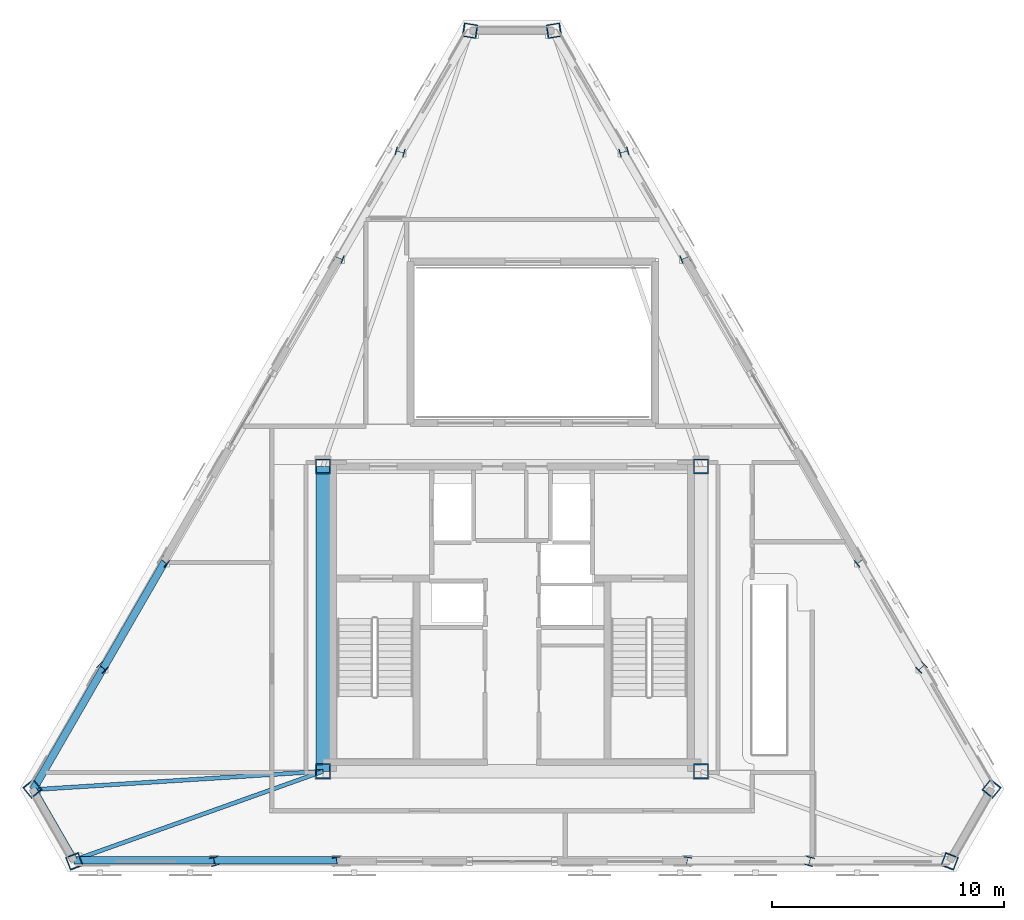
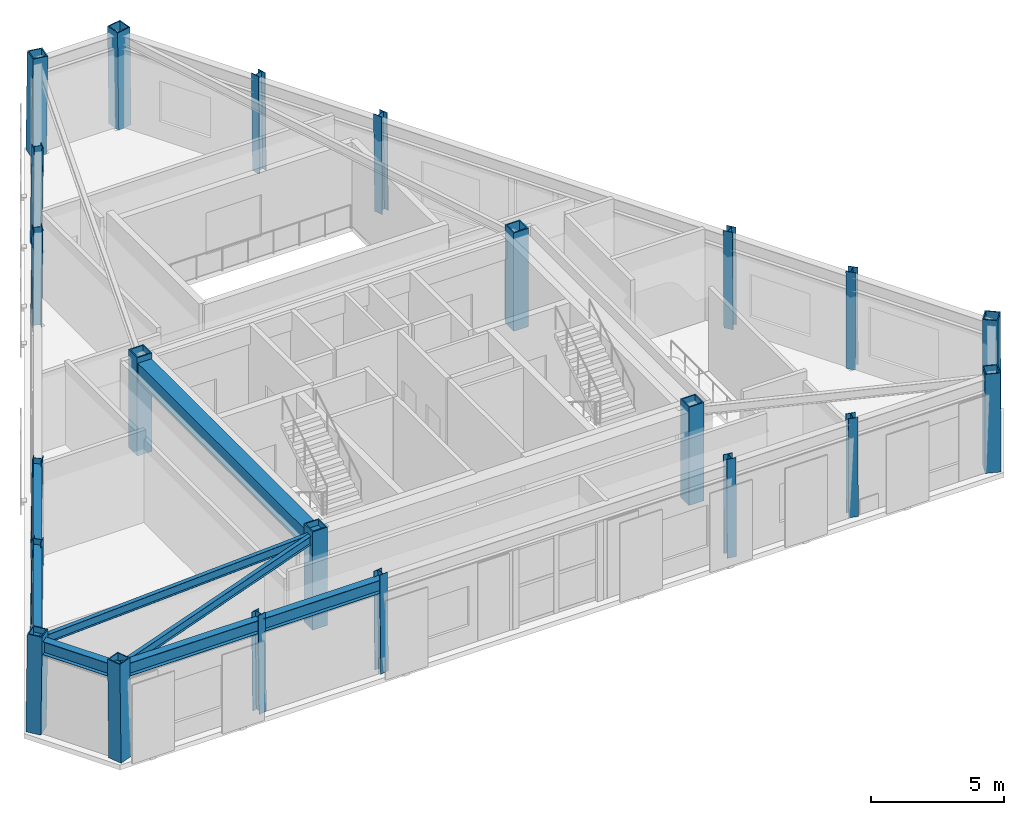
# One storey, part 1 of 14: 22 columns, 8 beams.
"""IFC4 building model written with IfcOpenShell, lengths in metres."""

from ifc_helpers import new_model, si_unit, direction, frame, origin, origin_2d, place, context, subcontext, project, spatial, rectangle, hollow_rectangle, i_section, extrude, material, material_profile, profile_set, type_object, element, save


model = new_model("IFC4")

# Units and contexts
model_context = context("Model", 3, precision=1e-05, world=origin(), true_north=direction((0.0, 1.0)))
body_context = subcontext(model_context, "Body", "Model", "MODEL_VIEW")
ifc_project = project(units=[si_unit("LENGTHUNIT", "METRE"), si_unit("AREAUNIT", "SQUARE_METRE"), si_unit("VOLUMEUNIT", "CUBIC_METRE"), si_unit("PLANEANGLEUNIT", "RADIAN"), si_unit("MASSUNIT", "GRAM", prefix="KILO")], contexts=[model_context])

# Site, building, storey
site_placement = place(None, origin())
site = spatial("IfcSite", under=ifc_project, at=site_placement, CompositionType="ELEMENT")
building_placement = place(site_placement, origin())
building = spatial("IfcBuilding", under=site, at=building_placement, Name="Oramaril Tower", CompositionType="ELEMENT")
storey_placement = place(building_placement, frame((0.0, 0.0, 309.60009765625)))
storey = spatial("IfcBuildingStorey", under=building, at=storey_placement, Name="L81", CompositionType="ELEMENT", Elevation=309.60009765625)

# Columns
ifc_material_1 = material(Name="Steel ASTM A572 Gr 50", Category="steel")
ifc_material_profile_1 = material_profile(ifc_material_1, hollow_rectangle(XDim=0.64990234375, YDim=0.64990234375, WallThickness=0.050048828125, at=origin_2d()), Name="BOX650X650X50")
ifc_profile_set_1 = profile_set([ifc_material_profile_1], Name="Steel ASTM A572 Gr 50")
column_type_1 = type_object("IfcColumnType", Name="CT-CC5", PredefinedType="COLUMN", material=ifc_profile_set_1)
for number, where, z_axis, x_axis, name in (
    (1, (29.35009765625, 11.0, 0.0), (0.0, 0.0, 1.0), (1.0, 0.0, 0.0), "L81 Core Column CC-1"),
    (2, (45.64990234375, 11.0, 0.0), (0.0, 0.0, 1.0), (1.0, 0.0, 0.0), "L81 Core Column CC-2"),
    (3, (45.64990234375, 24.14990234375, 0.0), (0.0, 0.0, 1.0), (1.0, 0.0, 0.0), "L81 Core Column CC-3"),
    (4, (29.35009765625, 24.14990234375, 0.0), (0.0, 0.0, 1.0), (1.0, 0.0, 0.0), "L81 Core Column CC-4"),
):
    element("IfcColumn", number, at=place(storey_placement, frame(where, z_axis=z_axis, x_axis=x_axis)), inside=storey, type_object=column_type_1, Name=name, PredefinedType="COLUMN", context=body_context, shape_type="SweptSolid", body=[
        extrude(hollow_rectangle(XDim=0.64990234375, YDim=0.64990234375, WallThickness=0.050048828125, at=origin_2d()), origin(), (0.0, 0.0, 1.0), 4.5),
    ])
ifc_material_2 = material(Name="Steel ASTM A572 Gr 50", Category="steel")
ifc_material_profile_2 = material_profile(ifc_material_2, hollow_rectangle(XDim=0.60009765625, YDim=0.60009765625, WallThickness=0.044921875, at=origin_2d()), Name="BOX600X600X45")
ifc_profile_set_2 = profile_set([ifc_material_profile_2], Name="Steel ASTM A572 Gr 50")
column_type_2 = type_object("IfcColumnType", Name="CT-TC5", PredefinedType="COLUMN", material=ifc_profile_set_2)
for number, where, z_axis, x_axis, name in (
    (5, (16.81396484375, 10.252197265625, 0.00439453125), (0.008262401422, -0.010219285969, 0.99991364573), (0.777630026941, 0.628722149442, 0.0), "L81 Tube Column TC-01"),
    (6, (18.62841796875, 7.109130859375, 0.00439453125), (-0.004674779586, 0.012284885889, 0.999913610276), (-0.934618696774, -0.355651362489, 0.0), "L81 Tube Column TC-02"),
    (7, (56.37158203125, 7.109130859375, 0.00439453125), (0.004674779586, 0.012284885889, 0.999913610276), (-0.934618696774, 0.355651362489, 0.0), "L81 Tube Column TC-03"),
    (8, (58.18603515625, 10.252197265625, 0.00439453125), (-0.008262401422, -0.010219285969, 0.99991364573), (0.777630026941, -0.628722149442, 0.0), "L81 Tube Column TC-04"),
    (9, (39.314453125, 42.938720703125, 0.00439453125), (-0.012937188054, -0.002065601454, 0.999914177545), (0.157666847724, -0.987492362061, 0.0), "L81 Tube Column TC-05"),
    (10, (35.685546875, 42.938720703125, 0.00439453125), (0.012937188054, -0.002065601454, 0.999914177545), (0.157666847724, 0.987492362061, 0.0), "L81 Tube Column TC-06"),
):
    element("IfcColumn", number, at=place(storey_placement, frame(where, z_axis=z_axis, x_axis=x_axis)), inside=storey, type_object=column_type_2, Name=name, PredefinedType="COLUMN", context=body_context, shape_type="SweptSolid", body=[
        extrude(hollow_rectangle(XDim=0.60009765625, YDim=0.60009765625, WallThickness=0.044921875, at=origin_2d()), origin(), (0.0, 0.0, 1.0), 4.491455078125),
    ])
ifc_material_3 = material(Name="Steel ASTM A572 Gr 50", Category="steel")
ifc_material_profile_3 = material_profile(ifc_material_3, i_section(OverallWidth=0.373046875, OverallDepth=0.373046875, WebThickness=0.016357421875, FlangeThickness=0.026123046875, at=origin_2d()), Name="W14X132")
ifc_profile_set_3 = profile_set([ifc_material_profile_3], Name="Steel ASTM A572 Gr 50")
column_type_3 = type_object("IfcColumnType", Name="CT-TF5", PredefinedType="COLUMN", material=ifc_profile_set_3)
for number, where, z_axis, x_axis, name in (
    (11, (24.667236328125, 7.109130859375, 0.00439453125), (-0.003152777106, 0.012284959068, 0.999919566654), (-0.96861096452, -0.248581574965, 0.0), "L81 Tube Column TC-07"),
    (12, (29.951416015625, 7.109130859375, 0.00439453125), (-0.001848185712, 0.012284999144, 0.999922828525), (-0.988872071431, -0.148768364729, 0.0), "L81 Tube Column TC-08"),
    (13, (45.048583984375, 7.109130859375, 0.00439453125), (0.001848185712, 0.012284999144, 0.999922828525), (-0.988872071431, 0.148768364729, 0.0), "L81 Tube Column TC-09"),
    (14, (50.332763671875, 7.109130859375, 0.00439453125), (0.003152777106, 0.012284959068, 0.999919566654), (-0.96861096452, 0.248581574965, 0.0), "L81 Tube Column TC-10"),
    (15, (55.16650390625, 15.48193359375, 0.00439453125), (-0.008969111512, -0.00891475326, 0.99992003791), (0.70495426405, -0.709252765661, 0.0), "L81 Tube Column TC-11"),
    (16, (52.524658203125, 20.05810546875, 0.00439453125), (-0.009675797201, -0.007773252807, 0.999922974778), (0.626296058982, -0.779585304187, 0.0), "L81 Tube Column TC-12"),
    (17, (44.97607421875, 33.1328125, 0.00439453125), (-0.011578339456, -0.0045117473, 0.999922790115), (0.363079476092, -0.931758173584, 0.0), "L81 Tube Column TC-13"),
    (18, (42.333984375, 37.708740234375, 0.00439453125), (-0.012230600318, -0.003370209866, 0.999919523812), (0.265654384693, -0.964068331548, 0.0), "L81 Tube Column TC-14"),
    (19, (32.666015625, 37.708740234375, 0.00439453125), (0.012230600318, -0.003370209866, 0.999919523812), (0.265654384693, 0.964068331548, 0.0), "L81 Tube Column TC-15"),
    (20, (30.02392578125, 33.1328125, 0.00439453125), (0.011578339456, -0.0045117473, 0.999922790115), (0.363079476092, 0.931758173584, 0.0), "L81 Tube Column TC-16"),
    (21, (22.475341796875, 20.05810546875, 0.00439453125), (0.009675797201, -0.007773252807, 0.999922974778), (0.626296058982, 0.779585304187, 0.0), "L81 Tube Column TC-17"),
    (22, (19.83349609375, 15.48193359375, 0.00439453125), (0.008969111512, -0.00891475326, 0.99992003791), (0.70495426405, 0.709252765661, 0.0), "L81 Tube Column TC-18"),
):
    element("IfcColumn", number, at=place(storey_placement, frame(where, z_axis=z_axis, x_axis=x_axis)), inside=storey, type_object=column_type_3, Name=name, PredefinedType="COLUMN", context=body_context, shape_type="SweptSolid", body=[
        extrude(i_section(OverallWidth=0.373046875, OverallDepth=0.373046875, WebThickness=0.016357421875, FlangeThickness=0.026123046875, at=origin_2d()), origin(), (0.0, 0.0, 1.0), 4.4912109375),
    ])

# Beams
ifc_material_4 = material(Name="Concrete C50/60", Category="concrete")
ifc_material_profile_4 = material_profile(ifc_material_4, rectangle(XDim=0.60009765625, YDim=0.85009765625, at=origin_2d()), Name="CB600X850")
ifc_profile_set_4 = profile_set([ifc_material_profile_4], Name="Concrete C50/60")
beam_type_1 = type_object("IfcBeamType", Name="BT-CB2", PredefinedType="BEAM", material=ifc_profile_set_4)
beam_1_placement = place(storey_placement, frame((29.35009765625, 24.14990234375, 3.81494140625), z_axis=(0.0, -1.0, 0.0), x_axis=(1.0, 0.0, 0.0)))
element("IfcBeam", 23, at=beam_1_placement, inside=storey, type_object=beam_type_1, Name="L81 Core Header Beam CB-4", PredefinedType="BEAM", context=body_context, shape_type="SweptSolid", body=[
    extrude(rectangle(XDim=0.60009765625, YDim=0.85009765625, at=origin_2d()), origin(), (0.0, 0.0, 1.0), 13.14990234375),
])
ifc_material_5 = material(Name="Steel ASTM A572 Gr 50", Category="steel")
ifc_material_profile_5 = material_profile(ifc_material_5, i_section(OverallWidth=0.177978515625, OverallDepth=0.404052734375, WebThickness=0.007568359375, FlangeThickness=0.010986328125, at=origin_2d()), Name="W16X36")
ifc_profile_set_5 = profile_set([ifc_material_profile_5], Name="Steel ASTM A572 Gr 50")
beam_type_2 = type_object("IfcBeamType", Name="BT-SB1", PredefinedType="BEAM", material=ifc_profile_set_5)
beam_2_placement = place(storey_placement, frame((29.35009765625, 11.0, 4.037841796875), z_axis=(-0.997989885149, -0.063373410357, 0.0), x_axis=(0.063373410357, -0.997989885149, 0.0)))
element("IfcBeam", 24, at=beam_2_placement, inside=storey, type_object=beam_type_2, Name="L81 Radial Primary Beam RB-01", PredefinedType="BEAM", context=body_context, shape_type="SweptSolid", body=[
    extrude(i_section(OverallWidth=0.177978515625, OverallDepth=0.404052734375, WebThickness=0.007568359375, FlangeThickness=0.010986328125, at=origin_2d()), origin(), (0.0, 0.0, 1.0), 12.524169921875),
])
beam_3_placement = place(storey_placement, frame((29.35009765625, 11.0, 4.037841796875), z_axis=(-0.941769025291, -0.336260468986, 0.0), x_axis=(0.336260468986, -0.941769025291, 0.0)))
element("IfcBeam", 25, at=beam_3_placement, inside=storey, type_object=beam_type_2, Name="L81 Radial Primary Beam RB-02", PredefinedType="BEAM", context=body_context, shape_type="SweptSolid", body=[
    extrude(i_section(OverallWidth=0.177978515625, OverallDepth=0.404052734375, WebThickness=0.007568359375, FlangeThickness=0.010986328125, at=origin_2d()), origin(), (0.0, 0.0, 1.0), 11.406982421875),
])
ifc_material_6 = material(Name="Steel ASTM A572 Gr 50", Category="steel")
ifc_material_profile_6 = material_profile(ifc_material_6, i_section(OverallWidth=0.324951171875, OverallDepth=0.612060546875, WebThickness=0.0126953125, FlangeThickness=0.01904296875, at=origin_2d()), Name="W24X104")
ifc_profile_set_6 = profile_set([ifc_material_profile_6], Name="Steel ASTM A572 Gr 50")
beam_type_3 = type_object("IfcBeamType", Name="BT-SP5", PredefinedType="SPANDREL", material=ifc_profile_set_6)
beam_4_placement = place(storey_placement, frame((16.85107421875, 10.206298828125, 3.933837890625), z_axis=(0.500011241135, -0.866018913615, 0.0), x_axis=(0.866018913615, 0.500011241135, 0.0)))
element("IfcBeam", 26, at=beam_4_placement, inside=storey, type_object=beam_type_3, Name="L81 Perimeter Spandrel 01", PredefinedType="SPANDREL", context=body_context, shape_type="SweptSolid", body=[
    extrude(i_section(OverallWidth=0.324951171875, OverallDepth=0.612060546875, WebThickness=0.0126953125, FlangeThickness=0.01904296875, at=origin_2d()), origin(), (0.0, 0.0, 1.0), 3.5126953125),
])
beam_5_placement = place(storey_placement, frame((18.607421875, 7.164306640625, 3.933837890625), z_axis=(1.0, 0.0, 0.0), x_axis=(0.0, 1.0, 0.0)))
element("IfcBeam", 27, at=beam_5_placement, inside=storey, type_object=beam_type_3, Name="L81 Perimeter Spandrel 02", PredefinedType="SPANDREL", context=body_context, shape_type="SweptSolid", body=[
    extrude(i_section(OverallWidth=0.324951171875, OverallDepth=0.612060546875, WebThickness=0.0126953125, FlangeThickness=0.01904296875, at=origin_2d()), origin(), (0.0, 0.0, 1.0), 6.045654296875),
])
for number, where, z_axis, x_axis, name in (
    (28, (24.653076171875, 7.164306640625, 3.933837890625), (1.0, 0.0, 0.0), (0.0, 1.0, 0.0), "L81 Perimeter Spandrel 03"),
    (29, (22.518798828125, 20.023193359375, 3.933837890625), (-0.500000768369, -0.866024960166, 0.0), (0.866024960166, -0.500000768369, 0.0), "L81 Perimeter Spandrel 17"),
):
    element("IfcBeam", number, at=place(storey_placement, frame(where, z_axis=z_axis, x_axis=x_axis)), inside=storey, type_object=beam_type_3, Name=name, PredefinedType="SPANDREL", context=body_context, shape_type="SweptSolid", body=[
        extrude(i_section(OverallWidth=0.324951171875, OverallDepth=0.612060546875, WebThickness=0.0126953125, FlangeThickness=0.01904296875, at=origin_2d()), origin(), (0.0, 0.0, 1.0), 5.2900390625),
    ])
beam_6_placement = place(storey_placement, frame((19.873779296875, 15.44189453125, 3.933837890625), z_axis=(-0.4999916247, -0.866030239212, 0.0), x_axis=(0.866030239212, -0.4999916247, 0.0)))
element("IfcBeam", 30, at=beam_6_placement, inside=storey, type_object=beam_type_3, Name="L81 Perimeter Spandrel 18", PredefinedType="SPANDREL", context=body_context, shape_type="SweptSolid", body=[
    extrude(i_section(OverallWidth=0.324951171875, OverallDepth=0.612060546875, WebThickness=0.0126953125, FlangeThickness=0.01904296875, at=origin_2d()), origin(), (0.0, 0.0, 1.0), 6.04541015625),
])

save(model, "model.ifc")
